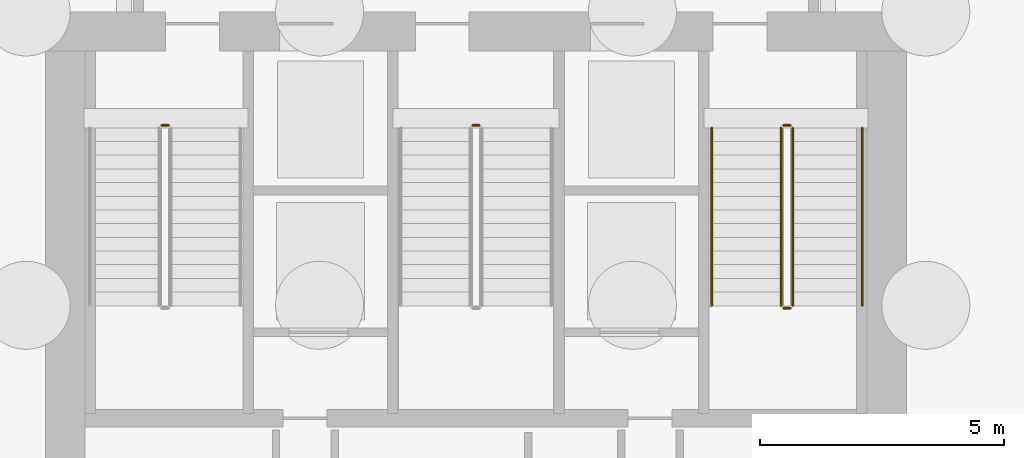
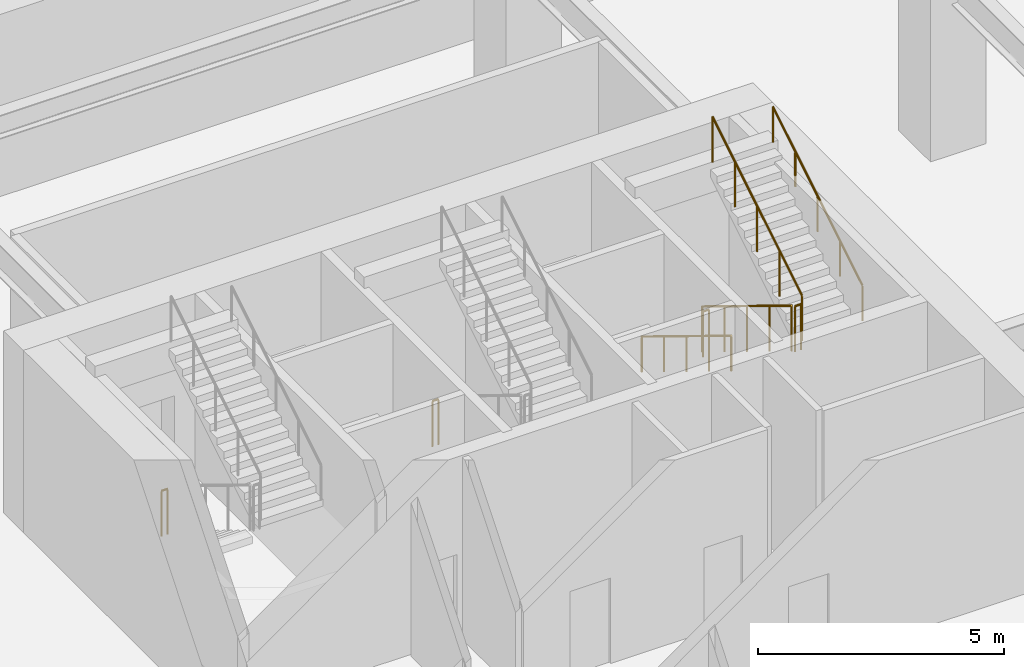
# One storey, part 13 of 15: 8 railings.
"""IFC4 building model written with IfcOpenShell, lengths in metres."""

from ifc_helpers import new_model, si_unit, direction, frame, origin, origin_2d, place, context, subcontext, project, spatial, circle, extrude, material, type_object, element, save


model = new_model("IFC4")

# Units and contexts
model_context = context("Model", 3, precision=1e-05, world=origin(), true_north=direction((0.0, 1.0)))
body_context = subcontext(model_context, "Body", "Model", "MODEL_VIEW")
ifc_project = project(units=[si_unit("LENGTHUNIT", "METRE"), si_unit("AREAUNIT", "SQUARE_METRE"), si_unit("VOLUMEUNIT", "CUBIC_METRE"), si_unit("PLANEANGLEUNIT", "RADIAN"), si_unit("MASSUNIT", "GRAM", prefix="KILO")], contexts=[model_context])

# Site, building, storey
site_placement = place(None, origin())
site = spatial("IfcSite", under=ifc_project, at=site_placement, CompositionType="ELEMENT")
building_placement = place(site_placement, origin())
building = spatial("IfcBuilding", under=site, at=building_placement, Name="Haolan Belvedere Tower", CompositionType="ELEMENT")
storey_placement = place(building_placement, frame((0.0, 0.0, -9.60009765625)))
storey = spatial("IfcBuildingStorey", under=building, at=storey_placement, Name="B2", CompositionType="ELEMENT", Elevation=-9.60009765625)

# Railings
ifc_material = material(Name="Brushed stainless steel 304", Category="steel")
railing_type_1 = type_object("IfcRailingType", Name="RL-STAIR-GRD-1150", PredefinedType="GUARDRAIL", material=ifc_material)
railing_1_placement = place(storey_placement, frame((31.969970703125, 41.280029296875, 0.0)))
element("IfcRailing", 1, at=railing_1_placement, inside=storey, type_object=railing_type_1, Name="B2 ST1 stair guard 4", PredefinedType="GUARDRAIL", context=body_context, shape_type="SweptSolid", body=[
    extrude(circle(Radius=0.02392578125, at=origin_2d()), frame((0.0, 0.0, 1.1259765625), z_axis=(1.0, 0.0, 0.0), x_axis=(0.0, 1.0, 0.0)), (0.0, 0.0, 1.0), 0.14013671875),
    extrude(circle(Radius=0.02099609375, at=origin_2d()), origin(), (0.0, 0.0, 1.0), 1.101806640625),
    extrude(circle(Radius=0.02099609375, at=origin_2d()), frame((0.14013671875, 0.0, 0.0)), (0.0, 0.0, 1.0), 1.101806640625),
])
railing_2_placement = place(storey_placement, frame((38.330078125, 41.280029296875, 0.0)))
element("IfcRailing", 2, at=railing_2_placement, inside=storey, type_object=railing_type_1, Name="B2 ST3 stair guard 4", PredefinedType="GUARDRAIL", context=body_context, shape_type="SweptSolid", body=[
    extrude(circle(Radius=0.02392578125, at=origin_2d()), frame((0.0, 0.0, 1.1259765625), z_axis=(1.0, 0.0, 0.0), x_axis=(0.0, 1.0, 0.0)), (0.0, 0.0, 1.0), 0.139892578125),
    extrude(circle(Radius=0.02099609375, at=origin_2d()), origin(), (0.0, 0.0, 1.0), 1.101806640625),
    extrude(circle(Radius=0.02099609375, at=origin_2d()), frame((0.139892578125, 0.0, 0.0)), (0.0, 0.0, 1.0), 1.101806640625),
])
railing_3_placement = place(storey_placement, frame((44.639892578125, 41.22998046875, 0.171630859375)))
element("IfcRailing", 3, at=railing_3_placement, inside=storey, type_object=railing_type_1, Name="B2 ST2 stair guard 1", PredefinedType="GUARDRAIL", context=body_context, shape_type="SweptSolid", body=[
    extrude(circle(Radius=0.02392578125, at=origin_2d()), frame((0.0, 0.0, 1.1259765625), z_axis=(0.0, -0.852850264322, 0.5221555579), x_axis=(1.0, 0.0, 0.0)), (0.0, 0.0, 1.0), 4.267822265625),
    extrude(circle(Radius=0.02099609375, at=origin_2d()), origin(), (0.0, 0.0, 1.0), 1.101806640625),
    extrude(circle(Radius=0.02099609375, at=origin_2d()), frame((0.0, -0.909912109375, 0.55712890625)), (0.0, 0.0, 1.0), 1.101806640625),
    extrude(circle(Radius=0.02099609375, at=origin_2d()), frame((0.0, -1.81982421875, 1.1142578125)), (0.0, 0.0, 1.0), 1.101806640625),
    extrude(circle(Radius=0.02099609375, at=origin_2d()), frame((0.0, -2.72998046875, 1.67138671875)), (0.0, 0.0, 1.0), 1.101806640625),
    extrude(circle(Radius=0.02099609375, at=origin_2d()), frame((0.0, -3.639892578125, 2.228515625)), (0.0, 0.0, 1.0), 1.101806640625),
])
railing_4_placement = place(storey_placement, frame((44.68994140625, 37.5400390625, 2.400146484375)))
element("IfcRailing", 4, at=railing_4_placement, inside=storey, type_object=railing_type_1, Name="B2 ST2 stair guard 2", PredefinedType="GUARDRAIL", context=body_context, shape_type="SweptSolid", body=[
    extrude(circle(Radius=0.02392578125, at=origin_2d()), frame((0.0, 0.0, 1.1259765625), z_axis=(1.0, 0.0, 0.0), x_axis=(0.0, 1.0, 0.0)), (0.0, 0.0, 1.0), 0.14013671875),
    extrude(circle(Radius=0.02099609375, at=origin_2d()), origin(), (0.0, 0.0, 1.0), 1.101806640625),
    extrude(circle(Radius=0.02099609375, at=origin_2d()), frame((0.14013671875, 0.0, 0.0)), (0.0, 0.0, 1.0), 1.101806640625),
])
railing_5_placement = place(storey_placement, frame((44.8798828125, 37.590087890625, 2.571533203125)))
element("IfcRailing", 5, at=railing_5_placement, inside=storey, type_object=railing_type_1, Name="B2 ST2 stair guard 3", PredefinedType="GUARDRAIL", context=body_context, shape_type="SweptSolid", body=[
    extrude(circle(Radius=0.02392578125, at=origin_2d()), frame((0.0, 0.0, 1.1259765625), z_axis=(0.0, 0.852850264322, 0.5221555579), x_axis=(-1.0, 0.0, 0.0)), (0.0, 0.0, 1.0), 4.267822265625),
    extrude(circle(Radius=0.02099609375, at=origin_2d()), origin(), (0.0, 0.0, 1.0), 1.101806640625),
    extrude(circle(Radius=0.02099609375, at=origin_2d()), frame((0.0, 0.909912109375, 0.55712890625)), (0.0, 0.0, 1.0), 1.101806640625),
    extrude(circle(Radius=0.02099609375, at=origin_2d()), frame((0.0, 1.81982421875, 1.1142578125)), (0.0, 0.0, 1.0), 1.101806640625),
    extrude(circle(Radius=0.02099609375, at=origin_2d()), frame((0.0, 2.72998046875, 1.67138671875)), (0.0, 0.0, 1.0), 1.101806640625),
    extrude(circle(Radius=0.02099609375, at=origin_2d()), frame((0.0, 3.639892578125, 2.228515625)), (0.0, 0.0, 1.0), 1.101806640625),
])
railing_6_placement = place(storey_placement, frame((44.68994140625, 41.280029296875, 0.0)))
element("IfcRailing", 6, at=railing_6_placement, inside=storey, type_object=railing_type_1, Name="B2 ST2 stair guard 4", PredefinedType="GUARDRAIL", context=body_context, shape_type="SweptSolid", body=[
    extrude(circle(Radius=0.02392578125, at=origin_2d()), frame((0.0, 0.0, 1.1259765625), z_axis=(1.0, 0.0, 0.0), x_axis=(0.0, 1.0, 0.0)), (0.0, 0.0, 1.0), 0.14013671875),
    extrude(circle(Radius=0.02099609375, at=origin_2d()), origin(), (0.0, 0.0, 1.0), 1.101806640625),
    extrude(circle(Radius=0.02099609375, at=origin_2d()), frame((0.14013671875, 0.0, 0.0)), (0.0, 0.0, 1.0), 1.101806640625),
])
railing_type_2 = type_object("IfcRailingType", Name="RL-STAIR-HND-900", PredefinedType="HANDRAIL", material=ifc_material)
railing_7_placement = place(storey_placement, frame((43.219970703125, 41.22998046875, 0.171630859375)))
element("IfcRailing", 7, at=railing_7_placement, inside=storey, type_object=railing_type_2, Name="B2 ST2 stair handrail 1", PredefinedType="HANDRAIL", context=body_context, shape_type="SweptSolid", body=[
    extrude(circle(Radius=0.02392578125, at=origin_2d()), frame((0.0, 0.0, 0.8759765625), z_axis=(0.0, -0.852850264322, 0.5221555579), x_axis=(1.0, 0.0, 0.0)), (0.0, 0.0, 1.0), 4.267822265625),
    extrude(circle(Radius=0.02099609375, at=origin_2d()), origin(), (0.0, 0.0, 1.0), 0.851806640625),
    extrude(circle(Radius=0.02099609375, at=origin_2d()), frame((0.0, -0.909912109375, 0.55712890625)), (0.0, 0.0, 1.0), 0.851806640625),
    extrude(circle(Radius=0.02099609375, at=origin_2d()), frame((0.0, -1.81982421875, 1.1142578125)), (0.0, 0.0, 1.0), 0.851806640625),
    extrude(circle(Radius=0.02099609375, at=origin_2d()), frame((0.0, -2.72998046875, 1.67138671875)), (0.0, 0.0, 1.0), 0.851806640625),
    extrude(circle(Radius=0.02099609375, at=origin_2d()), frame((0.0, -3.639892578125, 2.228515625)), (0.0, 0.0, 1.0), 0.851806640625),
])
railing_8_placement = place(storey_placement, frame((46.300048828125, 37.590087890625, 2.571533203125)))
element("IfcRailing", 8, at=railing_8_placement, inside=storey, type_object=railing_type_2, Name="B2 ST2 stair handrail 2", PredefinedType="HANDRAIL", context=body_context, shape_type="SweptSolid", body=[
    extrude(circle(Radius=0.02392578125, at=origin_2d()), frame((0.0, 0.0, 0.8759765625), z_axis=(0.0, 0.852850264322, 0.5221555579), x_axis=(-1.0, 0.0, 0.0)), (0.0, 0.0, 1.0), 4.267822265625),
    extrude(circle(Radius=0.02099609375, at=origin_2d()), origin(), (0.0, 0.0, 1.0), 0.851806640625),
    extrude(circle(Radius=0.02099609375, at=origin_2d()), frame((0.0, 0.909912109375, 0.55712890625)), (0.0, 0.0, 1.0), 0.851806640625),
    extrude(circle(Radius=0.02099609375, at=origin_2d()), frame((0.0, 1.81982421875, 1.1142578125)), (0.0, 0.0, 1.0), 0.851806640625),
    extrude(circle(Radius=0.02099609375, at=origin_2d()), frame((0.0, 2.72998046875, 1.67138671875)), (0.0, 0.0, 1.0), 0.851806640625),
    extrude(circle(Radius=0.02099609375, at=origin_2d()), frame((0.0, 3.639892578125, 2.228515625)), (0.0, 0.0, 1.0), 0.851806640625),
])

save(model, "model.ifc")
